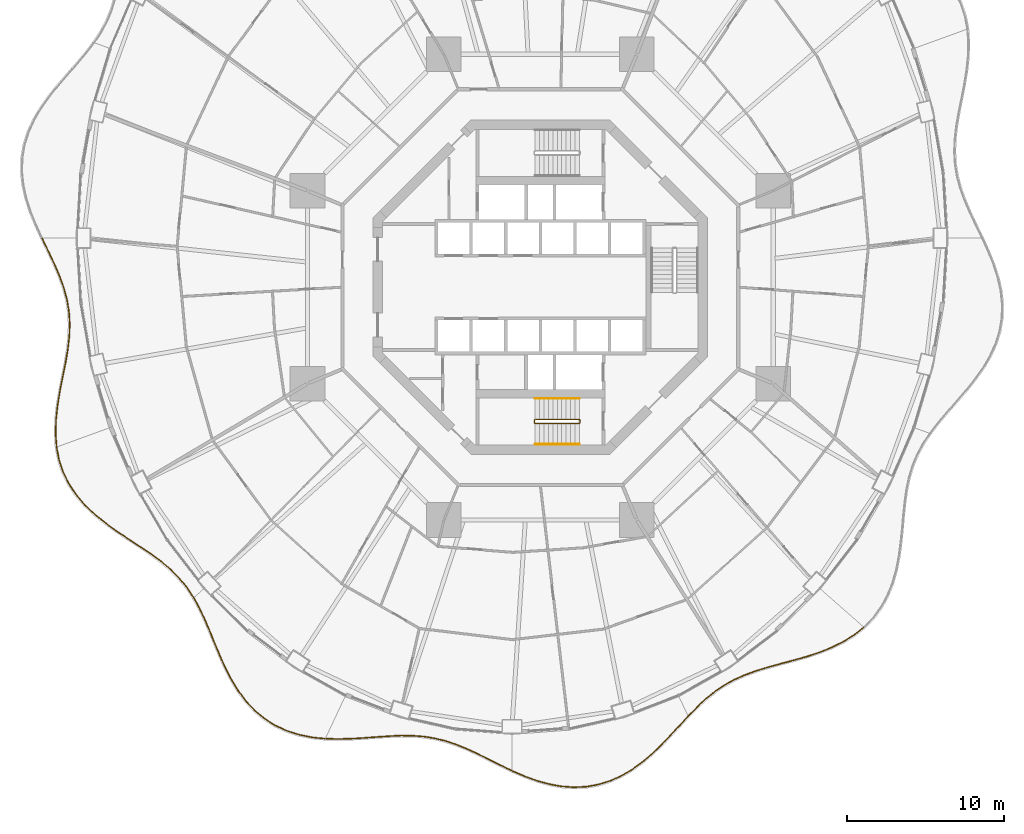
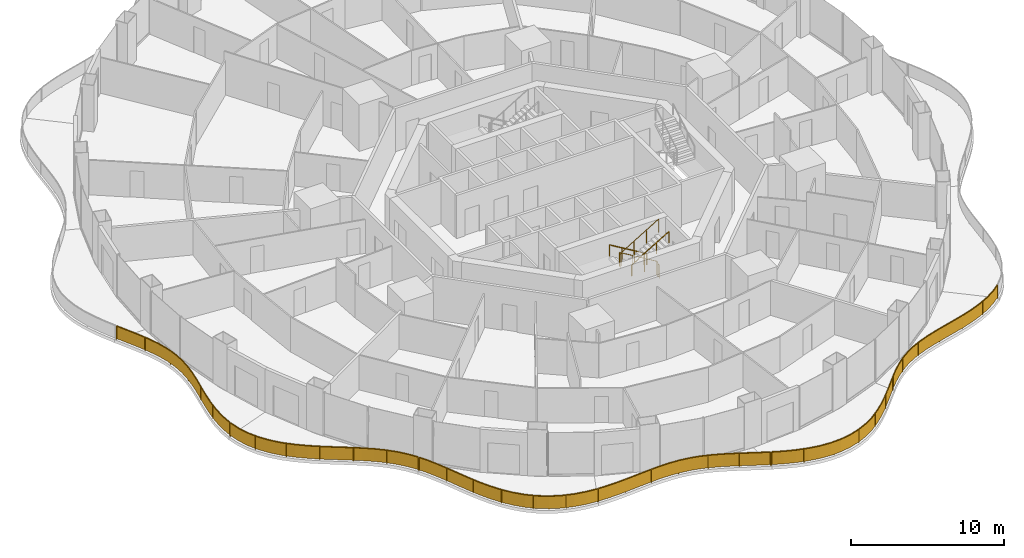
# One storey, part 20 of 22: 9 railings.
"""IFC4 building model written with IfcOpenShell, lengths in metres."""

from ifc_helpers import new_model, si_unit, direction, frame, origin, origin_2d, place, context, subcontext, project, spatial, polyline, rectangle, circle, outline, extrude, material, type_object, element, save


model = new_model("IFC4")

# Units and contexts
model_context = context("Model", 3, precision=1e-05, world=origin(), true_north=direction((0.0, 1.0)))
body_context = subcontext(model_context, "Body", "Model", "MODEL_VIEW")
ifc_project = project(units=[si_unit("LENGTHUNIT", "METRE"), si_unit("AREAUNIT", "SQUARE_METRE"), si_unit("VOLUMEUNIT", "CUBIC_METRE"), si_unit("PLANEANGLEUNIT", "RADIAN"), si_unit("MASSUNIT", "GRAM", prefix="KILO")], contexts=[model_context])

# Site, building, storey
site_placement = place(None, origin())
site = spatial("IfcSite", under=ifc_project, at=site_placement, CompositionType="ELEMENT")
building_placement = place(site_placement, origin())
building = spatial("IfcBuilding", under=site, at=building_placement, Name="Nagisa Residences", CompositionType="ELEMENT")
storey_placement = place(building_placement, frame((0.0, 0.0, 84.39990234375)))
storey = spatial("IfcBuildingStorey", under=building, at=storey_placement, Name="L20", CompositionType="ELEMENT", Elevation=84.39990234375)

# Railings
ifc_material_1 = material(Name="Stainless steel 316", Category="steel")
railing_type_1 = type_object("IfcRailingType", Name="BALCONY GUARD 1100", PredefinedType="BALUSTRADE", material=ifc_material_1)
railing_1_placement = place(storey_placement, frame((-31.629150390625, 3.08349609375, 0.0)))
element("IfcRailing", 1, at=railing_1_placement, inside=storey, type_object=railing_type_1, Name="guard:L20:bal08-0", PredefinedType="BALUSTRADE", context=body_context, shape_type="SweptSolid", body=[
    extrude(outline(polyline([(0.395263671875, -0.7578125), (0.0224609375, 0.010986328125), (-0.0224609375, -0.010986328125), (0.350341796875, -0.779296875), (0.726806640625, -1.57275390625), (1.0654296875, -2.353759765625), (1.345947265625, -3.12646484375), (1.554443359375, -3.897216796875), (1.68017578125, -4.658935546875), (1.725341796875, -5.446044921875), (1.69384765625, -6.250244140625), (1.5966796875, -7.0751953125), (1.451416015625, -7.923095703125), (1.27685546875, -8.779052734375), (1.10400390625, -9.666748046875), (0.955322265625, -10.56640625), (0.856201171875, -11.469970703125), (0.828857421875, -12.366943359375), (0.887939453125, -13.2001953125), (0.937744140625, -13.19677734375), (0.879150390625, -12.365966796875), (0.906005859375, -11.473388671875), (1.005126953125, -10.5732421875), (1.1533203125, -9.675537109375), (1.326171875, -8.788818359375), (1.500732421875, -7.932373046875), (1.64599609375, -7.08251953125), (1.74365234375, -6.254150390625), (1.775634765625, -5.445556640625), (1.72998046875, -4.653564453125), (1.603271484375, -3.886474609375), (1.393798828125, -3.111328125), (1.11181640625, -2.335205078125), (0.772216796875, -1.55224609375), (0.395263671875, -0.7578125)])), frame((0.0, 0.0, 1.050048828125)), (0.0, 0.0, 1.0), 0.050048828125),
    extrude(outline(polyline([(0.379150390625, -0.765625), (0.00634765625, 0.003173828125), (-0.00634765625, -0.003173828125), (0.366455078125, -0.771484375), (0.7431640625, -1.5654296875), (1.08203125, -2.34716796875), (1.36328125, -3.12109375), (1.572021484375, -3.893310546875), (1.697998046875, -4.656982421875), (1.743408203125, -5.44580078125), (1.711669921875, -6.251708984375), (1.614501953125, -7.077880859375), (1.46923828125, -7.926513671875), (1.294677734375, -8.782470703125), (1.121826171875, -9.669921875), (0.973388671875, -10.56884765625), (0.8740234375, -11.47119140625), (0.846923828125, -12.36669921875), (0.90576171875, -13.198974609375), (0.919921875, -13.197998046875), (0.861083984375, -12.3662109375), (0.88818359375, -11.47216796875), (0.987060546875, -10.57080078125), (1.135498046875, -9.67236328125), (1.308349609375, -8.785400390625), (1.48291015625, -7.928955078125), (1.628173828125, -7.079833984375), (1.725830078125, -6.252685546875), (1.757568359375, -5.44580078125), (1.712158203125, -4.655517578125), (1.585693359375, -3.890380859375), (1.37646484375, -3.11669921875), (1.09521484375, -2.341796875), (0.755859375, -1.5595703125), (0.379150390625, -0.765625)])), frame((0.0, 0.0, 0.06005859375)), (0.0, 0.0, 1.0), 0.989990234375),
    extrude(rectangle(XDim=0.0400390625, YDim=0.0400390625, at=origin_2d()), origin(), (0.0, 0.0, 1.0), 1.050048828125),
    extrude(rectangle(XDim=0.0400390625, YDim=0.0400390625, at=origin_2d()), frame((0.9619140625, -2.05224609375, 0.0)), (0.0, 0.0, 1.0), 1.050048828125),
    extrude(rectangle(XDim=0.0400390625, YDim=0.0400390625, at=origin_2d()), frame((1.631591796875, -4.21142578125, 0.0)), (0.0, 0.0, 1.0), 1.050048828125),
    extrude(rectangle(XDim=0.0400390625, YDim=0.0400390625, at=origin_2d()), frame((1.693115234375, -6.46875, 0.0)), (0.0, 0.0, 1.0), 1.050048828125),
    extrude(rectangle(XDim=0.0400390625, YDim=0.0400390625, at=origin_2d()), frame((1.31787109375, -8.703125, 0.0)), (0.0, 0.0, 1.0), 1.050048828125),
    extrude(rectangle(XDim=0.0400390625, YDim=0.0400390625, at=origin_2d()), frame((0.93994140625, -10.937255859375, 0.0)), (0.0, 0.0, 1.0), 1.050048828125),
    extrude(rectangle(XDim=0.0400390625, YDim=0.0400390625, at=origin_2d()), frame((0.912841796875, -13.198486328125, 0.0)), (0.0, 0.0, 1.0), 1.050048828125),
])
railing_2_placement = place(storey_placement, frame((-30.706787109375, -10.191650390625, 0.0)))
element("IfcRailing", 2, at=railing_2_placement, inside=storey, type_object=railing_type_1, Name="guard:L20:bal09-0", PredefinedType="BALUSTRADE", context=body_context, shape_type="SweptSolid", body=[
    extrude(outline(polyline([(0.174560546875, -0.7724609375), (0.024658203125, 0.004638671875), (-0.024658203125, -0.004638671875), (0.126220703125, -0.78515625), (0.390869140625, -1.57666015625), (0.7607421875, -2.3251953125), (1.22998046875, -3.02587890625), (1.7880859375, -3.67626953125), (2.413330078125, -4.26416015625), (3.099609375, -4.8203125), (3.8203125, -5.3388671875), (4.552978515625, -5.830078125), (5.27783203125, -6.30615234375), (5.967529296875, -6.76806640625), (6.623046875, -7.25390625), (7.2255859375, -7.7646484375), (7.76904296875, -8.311767578125), (8.25244140625, -8.9033203125), (8.6572265625, -9.510009765625), (8.69873046875, -9.482177734375), (8.29296875, -8.87353515625), (7.80615234375, -8.278076171875), (7.259765625, -7.72802734375), (6.654296875, -7.21484375), (5.996337890625, -6.72705078125), (5.3056640625, -6.2646484375), (4.580810546875, -5.78857421875), (3.8486328125, -5.2978515625), (3.1298828125, -4.78076171875), (2.446044921875, -4.2265625), (1.82421875, -3.6416015625), (1.27001953125, -2.99560546875), (0.80419921875, -2.30029296875), (0.437255859375, -1.5576171875), (0.174560546875, -0.7724609375)])), frame((0.0, 0.0, 1.050048828125)), (0.0, 0.0, 1.0), 0.050048828125),
    extrude(outline(polyline([(0.1572265625, -0.777099609375), (0.0068359375, 0.001220703125), (-0.0068359375, -0.001220703125), (0.1435546875, -0.780517578125), (0.407470703125, -1.56982421875), (0.7763671875, -2.316162109375), (1.244384765625, -3.014892578125), (1.801025390625, -3.663818359375), (2.425048828125, -4.250732421875), (3.110595703125, -4.80615234375), (3.83056640625, -5.32421875), (4.56298828125, -5.815185546875), (5.287841796875, -6.291259765625), (5.977783203125, -6.753173828125), (6.63427734375, -7.23974609375), (7.238037109375, -7.75146484375), (7.782470703125, -8.299560546875), (8.26708984375, -8.892578125), (8.672119140625, -9.5), (8.683837890625, -9.4921875), (8.2783203125, -8.88427734375), (7.792724609375, -8.290283203125), (7.247314453125, -7.7412109375), (6.64306640625, -7.22900390625), (5.986083984375, -6.741943359375), (5.295654296875, -6.279541015625), (4.57080078125, -5.803466796875), (3.83837890625, -5.3125), (3.118896484375, -4.794921875), (2.434326171875, -4.239990234375), (1.811279296875, -3.654052734375), (1.255615234375, -3.006591796875), (0.78857421875, -2.309326171875), (0.420654296875, -1.564453125), (0.1572265625, -0.777099609375)])), frame((0.0, 0.0, 0.06005859375)), (0.0, 0.0, 1.0), 0.989990234375),
    extrude(rectangle(XDim=0.0400390625, YDim=0.0400390625, at=origin_2d()), origin(), (0.0, 0.0, 1.0), 1.050048828125),
    extrude(rectangle(XDim=0.0400390625, YDim=0.0400390625, at=origin_2d()), frame((0.671630859375, -2.088134765625, 0.0)), (0.0, 0.0, 1.0), 1.050048828125),
    extrude(rectangle(XDim=0.0400390625, YDim=0.0400390625, at=origin_2d()), frame((1.996337890625, -3.837646484375, 0.0)), (0.0, 0.0, 1.0), 1.050048828125),
    extrude(rectangle(XDim=0.0400390625, YDim=0.0400390625, at=origin_2d()), frame((3.706298828125, -5.22607421875, 0.0)), (0.0, 0.0, 1.0), 1.050048828125),
    extrude(rectangle(XDim=0.0400390625, YDim=0.0400390625, at=origin_2d()), frame((5.5400390625, -6.45166015625, 0.0)), (0.0, 0.0, 1.0), 1.050048828125),
    extrude(rectangle(XDim=0.0400390625, YDim=0.0400390625, at=origin_2d()), frame((7.2880859375, -7.792236328125, 0.0)), (0.0, 0.0, 1.0), 1.050048828125),
    extrude(rectangle(XDim=0.0400390625, YDim=0.0400390625, at=origin_2d()), frame((8.677978515625, -9.49609375, 0.0)), (0.0, 0.0, 1.0), 1.050048828125),
])
railing_3_placement = place(storey_placement, frame((-21.99365234375, -19.74853515625, 0.0)))
element("IfcRailing", 3, at=railing_3_placement, inside=storey, type_object=railing_type_1, Name="guard:L20:bal10-0", PredefinedType="BALUSTRADE", context=body_context, shape_type="SweptSolid", body=[
    extrude(outline(polyline([(0.3662109375, -0.61181640625), (0.02197265625, 0.01220703125), (-0.02197265625, -0.01220703125), (0.32177734375, -0.634765625), (0.655029296875, -1.336669921875), (0.9697265625, -2.075439453125), (1.28173828125, -2.8408203125), (1.605712890625, -3.61962890625), (1.94384765625, -4.386474609375), (2.334716796875, -5.145263671875), (2.77587890625, -5.868408203125), (3.27587890625, -6.53955078125), (3.839111328125, -7.1435546875), (4.453857421875, -7.66064453125), (5.14013671875, -8.0966796875), (5.8828125, -8.44189453125), (6.671142578125, -8.69482421875), (7.4951171875, -8.86083984375), (8.29541015625, -8.942138671875), (8.30029296875, -8.892333984375), (7.50244140625, -8.8115234375), (6.683837890625, -8.646484375), (5.90087890625, -8.39501953125), (5.1640625, -8.052734375), (4.483642578125, -7.6201171875), (3.873779296875, -7.107421875), (3.314453125, -6.50732421875), (2.8173828125, -5.840576171875), (2.378173828125, -5.120849609375), (1.9892578125, -4.364990234375), (1.651611328125, -3.60009765625), (1.328125, -2.82177734375), (1.01611328125, -2.056396484375), (0.700439453125, -1.316162109375), (0.3662109375, -0.61181640625)])), frame((0.0, 0.0, 1.050048828125)), (0.0, 0.0, 1.0), 0.050048828125),
    extrude(outline(polyline([(0.350341796875, -0.6201171875), (0.006103515625, 0.00341796875), (-0.006103515625, -0.00341796875), (0.337646484375, -0.62646484375), (0.67138671875, -1.329345703125), (0.986572265625, -2.068603515625), (1.29833984375, -2.833984375), (1.622314453125, -3.612548828125), (1.960205078125, -4.378662109375), (2.350341796875, -5.136474609375), (2.790771484375, -5.8583984375), (3.289794921875, -6.52783203125), (3.8515625, -7.130615234375), (4.464599609375, -7.64599609375), (5.148681640625, -8.080810546875), (5.889404296875, -8.425048828125), (6.67578125, -8.677490234375), (7.497802734375, -8.843017578125), (8.297119140625, -8.92431640625), (8.298583984375, -8.91015625), (7.499755859375, -8.829345703125), (6.67919921875, -8.663818359375), (5.894287109375, -8.411865234375), (5.155517578125, -8.068603515625), (4.472900390625, -7.634765625), (3.861328125, -7.120361328125), (3.300537109375, -6.51904296875), (2.802490234375, -5.8505859375), (2.362548828125, -5.129638671875), (1.972900390625, -4.372802734375), (1.635009765625, -3.607177734375), (1.3115234375, -2.82861328125), (0.999267578125, -2.063232421875), (0.68408203125, -1.323486328125), (0.350341796875, -0.6201171875)])), frame((0.0, 0.0, 0.06005859375)), (0.0, 0.0, 1.0), 0.989990234375),
    extrude(rectangle(XDim=0.0400390625, YDim=0.0400390625, at=origin_2d()), origin(), (0.0, 0.0, 1.0), 1.050048828125),
    extrude(rectangle(XDim=0.0400390625, YDim=0.0400390625, at=origin_2d()), frame((0.946044921875, -1.955810546875, 0.0)), (0.0, 0.0, 1.0), 1.050048828125),
    extrude(rectangle(XDim=0.0400390625, YDim=0.0400390625, at=origin_2d()), frame((1.7841796875, -3.962158203125, 0.0)), (0.0, 0.0, 1.0), 1.050048828125),
    extrude(rectangle(XDim=0.0400390625, YDim=0.0400390625, at=origin_2d()), frame((2.81201171875, -5.875, 0.0)), (0.0, 0.0, 1.0), 1.050048828125),
    extrude(rectangle(XDim=0.0400390625, YDim=0.0400390625, at=origin_2d()), frame((4.271728515625, -7.474609375, 0.0)), (0.0, 0.0, 1.0), 1.050048828125),
    extrude(rectangle(XDim=0.0400390625, YDim=0.0400390625, at=origin_2d()), frame((6.16943359375, -8.507568359375, 0.0)), (0.0, 0.0, 1.0), 1.050048828125),
    extrude(rectangle(XDim=0.0400390625, YDim=0.0400390625, at=origin_2d()), frame((8.2978515625, -8.917236328125, 0.0)), (0.0, 0.0, 1.0), 1.050048828125),
])
railing_4_placement = place(storey_placement, frame((-13.61865234375, -28.669677734375, 0.0)))
element("IfcRailing", 4, at=railing_4_placement, inside=storey, type_object=railing_type_1, Name="guard:L20:bal11-0", PredefinedType="BALUSTRADE", context=body_context, shape_type="SweptSolid", body=[
    extrude(outline(polyline([(0.779541015625, 0.004638671875), (0.000732421875, 0.02490234375), (-0.000732421875, -0.02490234375), (0.779541015625, -0.045654296875), (1.607421875, -0.024658203125), (2.427490234375, 0.024169921875), (3.23193359375, 0.083984375), (4.015869140625, 0.13720703125), (4.760009765625, 0.17236328125), (5.497314453125, 0.165771484375), (6.21337890625, 0.11083984375), (6.91259765625, 0.00048828125), (7.599853515625, -0.168701171875), (8.26513671875, -0.392578125), (8.94970703125, -0.67138671875), (9.642822265625, -0.991943359375), (10.34912109375, -1.341552734375), (11.073486328125, -1.703369140625), (11.7734375, -2.041259765625), (11.79541015625, -1.996337890625), (11.095458984375, -1.658447265625), (10.37158203125, -1.296630859375), (9.664306640625, -0.947021484375), (8.9697265625, -0.62548828125), (8.28271484375, -0.345703125), (7.614013671875, -0.120361328125), (6.92236328125, 0.0498046875), (6.21923828125, 0.16064453125), (5.499267578125, 0.215576171875), (4.759033203125, 0.22265625), (4.012939453125, 0.18701171875), (3.228515625, 0.1337890625), (2.424072265625, 0.073974609375), (1.60546875, 0.025146484375), (0.779541015625, 0.004638671875)])), frame((0.0, 0.0, 1.050048828125)), (0.0, 0.0, 1.0), 0.050048828125),
    extrude(outline(polyline([(0.779541015625, -0.013427734375), (0.000244140625, 0.007080078125), (-0.000244140625, -0.007080078125), (0.779541015625, -0.027587890625), (1.606689453125, -0.0068359375), (2.42626953125, 0.0419921875), (3.230712890625, 0.101806640625), (4.014892578125, 0.155029296875), (4.759765625, 0.1904296875), (5.498046875, 0.18359375), (6.215576171875, 0.128662109375), (6.916015625, 0.018310546875), (7.60498046875, -0.1513671875), (8.271484375, -0.375732421875), (8.95703125, -0.65478515625), (9.650634765625, -0.975830078125), (10.357177734375, -1.325439453125), (11.081298828125, -1.687255859375), (11.781494140625, -2.025146484375), (11.787353515625, -2.012451171875), (11.087646484375, -1.674560546875), (10.363525390625, -1.312744140625), (9.656494140625, -0.963134765625), (8.96240234375, -0.64208984375), (8.2763671875, -0.362548828125), (7.60888671875, -0.1376953125), (6.9189453125, 0.031982421875), (6.217041015625, 0.142822265625), (5.49853515625, 0.19775390625), (4.75927734375, 0.20458984375), (4.013916015625, 0.169189453125), (3.229736328125, 0.115966796875), (2.42529296875, 0.05615234375), (1.606201171875, 0.00732421875), (0.779541015625, -0.013427734375)])), frame((0.0, 0.0, 0.06005859375)), (0.0, 0.0, 1.0), 0.989990234375),
    extrude(rectangle(XDim=0.0400390625, YDim=0.0400390625, at=origin_2d()), origin(), (0.0, 0.0, 1.0), 1.050048828125),
    extrude(rectangle(XDim=0.0400390625, YDim=0.0400390625, at=origin_2d()), frame((2.036865234375, 0.02587890625, 0.0)), (0.0, 0.0, 1.0), 1.050048828125),
    extrude(rectangle(XDim=0.0400390625, YDim=0.0400390625, at=origin_2d()), frame((4.0703125, 0.164794921875, 0.0)), (0.0, 0.0, 1.0), 1.050048828125),
    extrude(rectangle(XDim=0.0400390625, YDim=0.0400390625, at=origin_2d()), frame((6.10595703125, 0.144287109375, 0.0)), (0.0, 0.0, 1.0), 1.050048828125),
    extrude(rectangle(XDim=0.0400390625, YDim=0.0400390625, at=origin_2d()), frame((8.088134765625, -0.306640625, 0.0)), (0.0, 0.0, 1.0), 1.050048828125),
    extrude(rectangle(XDim=0.0400390625, YDim=0.0400390625, at=origin_2d()), frame((9.95556640625, -1.118896484375, 0.0)), (0.0, 0.0, 1.0), 1.050048828125),
    extrude(rectangle(XDim=0.0400390625, YDim=0.0400390625, at=origin_2d()), frame((11.784423828125, -2.018798828125, 0.0)), (0.0, 0.0, 1.0), 1.050048828125),
])
railing_5_placement = place(storey_placement, frame((-1.76513671875, -30.7216796875, 0.0)))
element("IfcRailing", 5, at=railing_5_placement, inside=storey, type_object=railing_type_1, Name="guard:L20:bal12-0", PredefinedType="BALUSTRADE", context=body_context, shape_type="SweptSolid", body=[
    extrude(outline(polyline([(0.72802734375, -0.29150390625), (0.010009765625, 0.02294921875), (-0.010009765625, -0.02294921875), (0.70947265625, -0.337890625), (1.49072265625, -0.62451171875), (2.285888671875, -0.849365234375), (3.0888671875, -0.997314453125), (3.891845703125, -1.056396484375), (4.672607421875, -1.020751953125), (5.455322265625, -0.882568359375), (6.2158203125, -0.64501953125), (6.94775390625, -0.31396484375), (7.6474609375, 0.10107421875), (8.294921875, 0.581298828125), (8.92431640625, 1.12109375), (9.521240234375, 1.69775390625), (10.090576171875, 2.29248046875), (10.638916015625, 2.887939453125), (11.14306640625, 3.435546875), (11.1064453125, 3.46923828125), (10.602294921875, 2.921630859375), (10.053955078125, 2.32666015625), (9.485595703125, 1.73291015625), (8.890625, 1.158203125), (8.263671875, 0.620361328125), (7.61962890625, 0.142578125), (6.9248046875, -0.26953125), (6.19775390625, -0.59814453125), (5.443603515625, -0.833740234375), (4.667236328125, -0.970947265625), (3.892333984375, -1.006103515625), (3.09521484375, -0.947509765625), (2.297119140625, -0.800537109375), (1.50634765625, -0.57666015625), (0.72802734375, -0.29150390625)])), frame((0.0, 0.0, 1.050048828125)), (0.0, 0.0, 1.0), 0.050048828125),
    extrude(outline(polyline([(0.721435546875, -0.30810546875), (0.002685546875, 0.00634765625), (-0.002685546875, -0.00634765625), (0.716064453125, -0.3212890625), (1.496337890625, -0.607177734375), (2.289794921875, -0.831787109375), (3.091064453125, -0.979248046875), (3.89208984375, -1.038330078125), (4.670654296875, -1.0029296875), (5.451171875, -0.864990234375), (6.209228515625, -0.628173828125), (6.939453125, -0.2978515625), (7.637451171875, 0.115966796875), (8.28369140625, 0.595458984375), (8.912109375, 1.134521484375), (9.50830078125, 1.71044921875), (10.077392578125, 2.3046875), (10.625732421875, 2.900146484375), (11.1298828125, 3.44775390625), (11.11962890625, 3.45703125), (10.615478515625, 2.909423828125), (10.067138671875, 2.314453125), (9.49853515625, 1.72021484375), (8.90283203125, 1.144775390625), (8.27490234375, 0.606201171875), (7.629638671875, 0.127685546875), (6.93310546875, -0.28564453125), (6.204345703125, -0.614990234375), (5.44775390625, -0.851318359375), (4.669189453125, -0.98876953125), (3.89208984375, -1.024169921875), (3.093017578125, -0.965576171875), (2.293212890625, -0.818115234375), (1.500732421875, -0.593994140625), (0.721435546875, -0.30810546875)])), frame((0.0, 0.0, 0.06005859375)), (0.0, 0.0, 1.0), 0.989990234375),
    extrude(rectangle(XDim=0.0400390625, YDim=0.0400390625, at=origin_2d()), origin(), (0.0, 0.0, 1.0), 1.050048828125),
    extrude(rectangle(XDim=0.0400390625, YDim=0.0400390625, at=origin_2d()), frame((2.0078125, -0.74462890625, 0.0)), (0.0, 0.0, 1.0), 1.050048828125),
    extrude(rectangle(XDim=0.0400390625, YDim=0.0400390625, at=origin_2d()), frame((4.125244140625, -1.020751953125, 0.0)), (0.0, 0.0, 1.0), 1.050048828125),
    extrude(rectangle(XDim=0.0400390625, YDim=0.0400390625, at=origin_2d()), frame((6.2197265625, -0.61572265625, 0.0)), (0.0, 0.0, 1.0), 1.050048828125),
    extrude(rectangle(XDim=0.0400390625, YDim=0.0400390625, at=origin_2d()), frame((8.0732421875, 0.447998046875, 0.0)), (0.0, 0.0, 1.0), 1.050048828125),
    extrude(rectangle(XDim=0.0400390625, YDim=0.0400390625, at=origin_2d()), frame((9.66357421875, 1.8828125, 0.0)), (0.0, 0.0, 1.0), 1.050048828125),
    extrude(rectangle(XDim=0.0400390625, YDim=0.0400390625, at=origin_2d()), frame((11.124755859375, 3.452392578125, 0.0)), (0.0, 0.0, 1.0), 1.050048828125),
])
railing_6_placement = place(storey_placement, frame((9.409423828125, -27.2138671875, 0.0)))
element("IfcRailing", 6, at=railing_6_placement, inside=storey, type_object=railing_type_1, Name="guard:L20:bal13-0", PredefinedType="BALUSTRADE", context=body_context, shape_type="SweptSolid", body=[
    extrude(outline(polyline([(0.50390625, 0.555419921875), (-0.01806640625, 0.017333984375), (0.01806640625, -0.017333984375), (0.5390625, 0.519775390625), (1.10009765625, 1.042236328125), (1.6796875, 1.5107421875), (2.2861328125, 1.921875), (2.927001953125, 2.2763671875), (3.59228515625, 2.570556640625), (4.31103515625, 2.83154296875), (5.06640625, 3.06298828125), (5.852294921875, 3.279052734375), (6.6591796875, 3.495849609375), (7.463134765625, 3.71923828125), (8.273681640625, 3.985595703125), (9.0634765625, 4.2978515625), (9.816650390625, 4.667724609375), (10.518798828125, 5.102783203125), (11.119873046875, 5.5771484375), (11.089111328125, 5.6162109375), (10.489990234375, 5.143798828125), (9.792236328125, 4.711669921875), (9.04296875, 4.34375), (8.256591796875, 4.032470703125), (7.448486328125, 3.76708984375), (6.64599609375, 3.544189453125), (5.839111328125, 3.327392578125), (5.05224609375, 3.11083984375), (4.294921875, 2.87890625), (3.57373046875, 2.616943359375), (2.904541015625, 2.3212890625), (2.259765625, 1.96435546875), (1.64990234375, 1.55078125), (1.0673828125, 1.079833984375), (0.50390625, 0.555419921875)])), frame((0.0, 0.0, 1.050048828125)), (0.0, 0.0, 1.0), 0.050048828125),
    extrude(outline(polyline([(0.5166015625, 0.54248046875), (-0.005126953125, 0.0048828125), (0.005126953125, -0.0048828125), (0.5263671875, 0.53271484375), (1.08837890625, 1.0556640625), (1.6689453125, 1.525146484375), (2.276611328125, 1.937255859375), (2.9189453125, 2.29248046875), (3.585693359375, 2.587158203125), (4.30517578125, 2.8486328125), (5.061279296875, 3.080078125), (5.84765625, 3.29638671875), (6.654541015625, 3.51318359375), (7.457763671875, 3.736572265625), (8.267578125, 4.00244140625), (9.05615234375, 4.314453125), (9.807861328125, 4.68359375), (10.50830078125, 5.117431640625), (11.10888671875, 5.591064453125), (11.10009765625, 5.602294921875), (10.50048828125, 5.129150390625), (9.801025390625, 4.69580078125), (9.05029296875, 4.3271484375), (8.2626953125, 4.015625), (7.453857421875, 3.749755859375), (6.650634765625, 3.52685546875), (5.84375, 3.31005859375), (5.057373046875, 3.09375), (4.30078125, 2.86181640625), (3.580322265625, 2.600341796875), (2.91259765625, 2.30517578125), (2.269287109375, 1.948974609375), (1.66064453125, 1.536376953125), (1.0791015625, 1.06640625), (0.5166015625, 0.54248046875)])), frame((0.0, 0.0, 0.06005859375)), (0.0, 0.0, 1.0), 0.989990234375),
    extrude(rectangle(XDim=0.0400390625, YDim=0.0400390625, at=origin_2d()), origin(), (0.0, 0.0, 1.0), 1.050048828125),
    extrude(rectangle(XDim=0.0400390625, YDim=0.0400390625, at=origin_2d()), frame((1.540771484375, 1.430419921875, 0.0)), (0.0, 0.0, 1.0), 1.050048828125),
    extrude(rectangle(XDim=0.0400390625, YDim=0.0400390625, at=origin_2d()), frame((3.35107421875, 2.4912109375, 0.0)), (0.0, 0.0, 1.0), 1.050048828125),
    extrude(rectangle(XDim=0.0400390625, YDim=0.0400390625, at=origin_2d()), frame((5.343017578125, 3.1650390625, 0.0)), (0.0, 0.0, 1.0), 1.050048828125),
    extrude(rectangle(XDim=0.0400390625, YDim=0.0400390625, at=origin_2d()), frame((7.373291015625, 3.72021484375, 0.0)), (0.0, 0.0, 1.0), 1.050048828125),
    extrude(rectangle(XDim=0.0400390625, YDim=0.0400390625, at=origin_2d()), frame((9.34033203125, 4.461669921875, 0.0)), (0.0, 0.0, 1.0), 1.050048828125),
    extrude(rectangle(XDim=0.0400390625, YDim=0.0400390625, at=origin_2d()), frame((11.1044921875, 5.5966796875, 0.0)), (0.0, 0.0, 1.0), 1.050048828125),
])
ifc_material_2 = material(Name="Stainless steel", Category="steel")
railing_type_2 = type_object("IfcRailingType", Name="Stair guard 1100", PredefinedType="GUARDRAIL", material=ifc_material_2)
railing_7_placement = place(storey_placement, frame((2.52490234375, -8.599609375, 0.0)))
element("IfcRailing", 7, at=railing_7_placement, inside=storey, type_object=railing_type_2, Name="L20 ST-S stair guard 1", PredefinedType="GUARDRAIL", context=body_context, shape_type="SweptSolid", body=[
    extrude(circle(Radius=0.02392578125, at=origin_2d()), frame((0.0, 0.0, 1.076171875), z_axis=(0.0, 1.0, 0.0), x_axis=(-1.0, 0.0, 0.0)), (0.0, 0.0, 1.0), 0.14990234375),
    extrude(circle(Radius=0.02392578125, at=origin_2d()), frame((0.0, 0.14990234375, 1.076171875), z_axis=(-0.273006030465, 0.27434429532, 0.922064485248), x_axis=(-0.708833529934, -0.705375805398, 0.0)), (0.0, 0.0, 1.0), 0.182373046875),
    extrude(circle(Radius=0.02392578125, at=origin_2d()), frame((-0.0498046875, 0.199951171875, 1.244140625), z_axis=(-0.857242210791, 0.0, 0.514913383045), x_axis=(0.0, -1.0, 0.0)), (0.0, 0.0, 1.0), 3.266357421875),
    extrude(circle(Radius=0.02392578125, at=origin_2d()), frame((-2.849853515625, 0.199951171875, 2.92626953125), z_axis=(-0.707106781187, -0.707106781187, 0.0), x_axis=(0.707106781187, -0.707106781187, 0.0)), (0.0, 0.0, 1.0), 0.07080078125),
    extrude(circle(Radius=0.02392578125, at=origin_2d()), frame((-2.89990234375, 0.14990234375, 2.92626953125), z_axis=(0.0, -1.0, 0.0), x_axis=(1.0, 0.0, 0.0)), (0.0, 0.0, 1.0), 0.14990234375),
    extrude(circle(Radius=0.02392578125, at=origin_2d()), frame((-2.89990234375, 0.0, 2.92626953125), z_axis=(0.274243871929, -0.274243871929, 0.92172696468), x_axis=(0.707106781187, 0.707106781187, 0.0)), (0.0, 0.0, 1.0), 0.1826171875),
    extrude(circle(Radius=0.02392578125, at=origin_2d()), frame((-2.849853515625, -0.050048828125, 3.09423828125), z_axis=(0.857242210791, 0.0, 0.514913383045), x_axis=(0.0, 1.0, 0.0)), (0.0, 0.0, 1.0), 3.266357421875),
    extrude(circle(Radius=0.02099609375, at=origin_2d()), origin(), (0.0, 0.0, 1.0), 1.052001953125),
    extrude(circle(Radius=0.02099609375, at=origin_2d()), frame((0.0, 0.14990234375, 0.0)), (0.0, 0.0, 1.0), 1.052001953125),
    extrude(circle(Radius=0.02099609375, at=origin_2d()), frame((-0.0498046875, 0.199951171875, 0.168212890625)), (0.0, 0.0, 1.0), 1.052001953125),
    extrude(circle(Radius=0.02099609375, at=origin_2d()), frame((-0.983154296875, 0.199951171875, 0.728759765625)), (0.0, 0.0, 1.0), 1.052001953125),
    extrude(circle(Radius=0.02099609375, at=origin_2d()), frame((-1.91650390625, 0.199951171875, 1.28955078125)), (0.0, 0.0, 1.0), 1.052001953125),
    extrude(circle(Radius=0.02099609375, at=origin_2d()), frame((-2.849853515625, 0.199951171875, 1.85009765625)), (0.0, 0.0, 1.0), 1.052001953125),
    extrude(circle(Radius=0.02099609375, at=origin_2d()), frame((-2.89990234375, 0.14990234375, 1.85009765625)), (0.0, 0.0, 1.0), 1.052001953125),
    extrude(circle(Radius=0.02099609375, at=origin_2d()), frame((-2.89990234375, 0.0, 1.85009765625)), (0.0, 0.0, 1.0), 1.052001953125),
    extrude(circle(Radius=0.02099609375, at=origin_2d()), frame((-2.849853515625, -0.050048828125, 2.018310546875)), (0.0, 0.0, 1.0), 1.052001953125),
    extrude(circle(Radius=0.02099609375, at=origin_2d()), frame((-1.91650390625, -0.050048828125, 2.578857421875)), (0.0, 0.0, 1.0), 1.052001953125),
    extrude(circle(Radius=0.02099609375, at=origin_2d()), frame((-0.983154296875, -0.050048828125, 3.1396484375)), (0.0, 0.0, 1.0), 1.052001953125),
    extrude(circle(Radius=0.02099609375, at=origin_2d()), frame((-0.0498046875, -0.050048828125, 3.7001953125)), (0.0, 0.0, 1.0), 1.052001953125),
])
ifc_material_3 = material(Name="Stainless steel", Category="steel")
railing_type_3 = type_object("IfcRailingType", Name="Stair handrail 900", PredefinedType="HANDRAIL", material=ifc_material_3)
railing_8_placement = place(storey_placement, frame((2.47509765625, -7.07470703125, 0.168212890625)))
element("IfcRailing", 8, at=railing_8_placement, inside=storey, type_object=railing_type_3, Name="L20 ST-S stair handrail 1", PredefinedType="HANDRAIL", context=body_context, shape_type="SweptSolid", body=[
    extrude(circle(Radius=0.02392578125, at=origin_2d()), frame((0.0, 0.0, 0.8759765625), z_axis=(-0.857242210791, 0.0, 0.514913383045), x_axis=(0.0, -1.0, 0.0)), (0.0, 0.0, 1.0), 3.266357421875),
    extrude(circle(Radius=0.02099609375, at=origin_2d()), origin(), (0.0, 0.0, 1.0), 0.851806640625),
    extrude(circle(Radius=0.02099609375, at=origin_2d()), frame((-0.933349609375, 0.0, 0.560546875)), (0.0, 0.0, 1.0), 0.851806640625),
    extrude(circle(Radius=0.02099609375, at=origin_2d()), frame((-1.86669921875, 0.0, 1.121337890625)), (0.0, 0.0, 1.0), 0.851806640625),
    extrude(circle(Radius=0.02099609375, at=origin_2d()), frame((-2.800048828125, 0.0, 1.681884765625)), (0.0, 0.0, 1.0), 0.851806640625),
])
railing_9_placement = place(storey_placement, frame((-0.324951171875, -9.974609375, 2.018310546875)))
element("IfcRailing", 9, at=railing_9_placement, inside=storey, type_object=railing_type_3, Name="L20 ST-S stair handrail 2", PredefinedType="HANDRAIL", context=body_context, shape_type="SweptSolid", body=[
    extrude(circle(Radius=0.02392578125, at=origin_2d()), frame((0.0, 0.0, 0.8759765625), z_axis=(0.857242210791, 0.0, 0.514913383045), x_axis=(0.0, 1.0, 0.0)), (0.0, 0.0, 1.0), 3.266357421875),
    extrude(circle(Radius=0.02099609375, at=origin_2d()), origin(), (0.0, 0.0, 1.0), 0.851806640625),
    extrude(circle(Radius=0.02099609375, at=origin_2d()), frame((0.933349609375, 0.0, 0.560546875)), (0.0, 0.0, 1.0), 0.851806640625),
    extrude(circle(Radius=0.02099609375, at=origin_2d()), frame((1.86669921875, 0.0, 1.121337890625)), (0.0, 0.0, 1.0), 0.851806640625),
    extrude(circle(Radius=0.02099609375, at=origin_2d()), frame((2.800048828125, 0.0, 1.681884765625)), (0.0, 0.0, 1.0), 0.851806640625),
])

save(model, "model.ifc")
